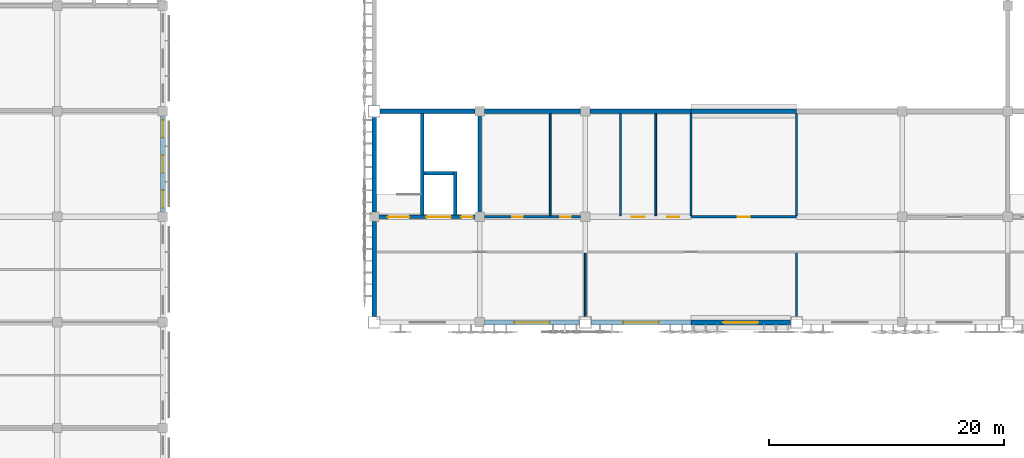
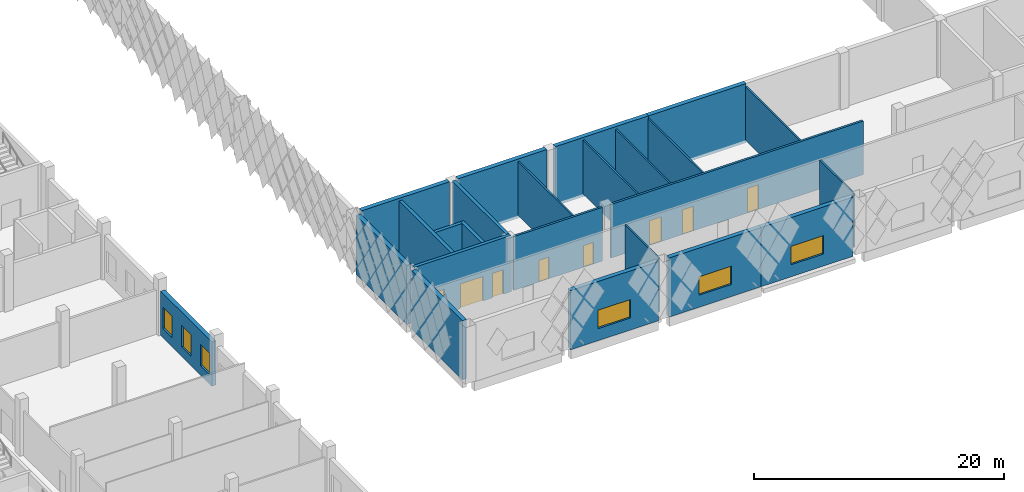
# One storey, part 108 of 185: 24 walls, 8 doors, 6 windows, 14 openings.
"""IFC4 building model written with IfcOpenShell, lengths in metres."""

from ifc_helpers import new_model, si_unit, direction, frame, frame_2d, origin, place, context, subcontext, project, spatial, rectangle, extrude, material, layer, layer_set, type_object, element, fill, save


model = new_model("IFC4")

# Units and contexts
model_context = context("Model", 3, precision=1e-05, world=origin(), true_north=direction((0.0, 1.0)))
body_context = subcontext(model_context, "Body", "Model", "MODEL_VIEW")
ifc_project = project(units=[si_unit("LENGTHUNIT", "METRE"), si_unit("AREAUNIT", "SQUARE_METRE"), si_unit("VOLUMEUNIT", "CUBIC_METRE"), si_unit("PLANEANGLEUNIT", "RADIAN"), si_unit("MASSUNIT", "GRAM", prefix="KILO")], contexts=[model_context])

# Site, building, storey
site_placement = place(None, origin())
site = spatial("IfcSite", under=ifc_project, at=site_placement, CompositionType="ELEMENT")
building_placement = place(site_placement, origin())
building = spatial("IfcBuilding", under=site, at=building_placement, Name="Opaline Strait Convention Centre", CompositionType="ELEMENT")
storey_placement = place(building_placement, frame((0.0, 0.0, 6.0)))
storey = spatial("IfcBuildingStorey", under=building, at=storey_placement, Name="L01", CompositionType="ELEMENT", Elevation=6.0)

# Wall, opening, window
ifc_material_1 = material(Name="Concrete C40", Category="concrete")
ifc_layer_1 = layer(ifc_material_1, 0.25)
ifc_material_2 = material(Name="Mineral wool insulation")
ifc_layer_2 = layer(ifc_material_2, 0.10009765625)
ifc_material_3 = material(Name="Gypsum board lining")
ifc_layer_3 = layer(ifc_material_3, 0.050048828125)
ifc_layer_set_1 = layer_set([ifc_layer_1, ifc_layer_2, ifc_layer_3], Name="Concrete C40, Mineral wool insulation, Gypsum board lining")
wall_type_1 = type_object("IfcWallType", Name="External wall RC 400 insulated", PredefinedType="SOLIDWALL", material=ifc_layer_set_1)
wall_1_placement = place(storey_placement, frame((108.39990234375, 54.0, -0.280029296875), z_axis=(0.0, 0.0, 1.0), x_axis=(1.0, 0.0, 0.0)))
wall_1 = element("IfcWall", 1, at=wall_1_placement, inside=storey, type_object=wall_type_1, Name="External wall S2", PredefinedType="SOLIDWALL", context=body_context, shape_type="SweptSolid", body=[
    extrude(rectangle(XDim=8.10009765625, YDim=0.39990234375, at=frame_2d((4.050048828125, 0.0))), origin(), (0.0, 0.0, 1.0), 5.780029296875),
])
opening_1_placement = place(wall_1_placement, frame((2.550048828125, 0.0, 1.179931640625)))
opening_1 = element("IfcOpeningElement", 2, at=opening_1_placement, cuts=wall_1, Name="Opening XWN2", PredefinedType="OPENING", context=body_context, shape_type="SweptSolid", body=[
    extrude(rectangle(XDim=3.0, YDim=1.800048828125, at=frame_2d((1.5, 0.89990234375))), frame((0.0, 0.2099609375, 0.0), z_axis=(0.0, -1.0, 0.0), x_axis=(1.0, 0.0, 0.0)), (0.0, 0.0, 1.0), 0.419921875),
])
ifc_material_4 = material(Name="Double glazed unit low emissivity", Category="glass")
window_type_1 = type_object("IfcWindowType", Name="Strip window 3000 x 1800", PartitioningType="TRIPLE_PANEL_VERTICAL", PredefinedType="WINDOW", material=ifc_material_4)
window_1_placement = place(opening_1_placement, origin())
window_1 = element("IfcWindow", 3, at=window_1_placement, inside=storey, type_object=window_type_1, Name="Strip window 2", OverallHeight=1.800048828125, OverallWidth=3.0, PartitioningType="TRIPLE_PANEL_VERTICAL", PredefinedType="WINDOW", context=body_context, shape_type="SweptSolid", body=[
    extrude(rectangle(XDim=3.0, YDim=1.800048828125, at=frame_2d((1.5, 0.89990234375))), frame((0.0, 0.030029296875, 0.0), z_axis=(0.0, -1.0, 0.0), x_axis=(1.0, 0.0, 0.0)), (0.0, 0.0, 1.0), 0.06005859375),
])
fill(opening_1, window_1)

wall_2_placement = place(storey_placement, frame((117.5, 54.0, -0.280029296875), z_axis=(0.0, 0.0, 1.0), x_axis=(1.0, 0.0, 0.0)))
wall_2 = element("IfcWall", 4, at=wall_2_placement, inside=storey, type_object=wall_type_1, Name="External wall S3", PredefinedType="SOLIDWALL", context=body_context, shape_type="SweptSolid", body=[
    extrude(rectangle(XDim=8.5, YDim=0.39990234375, at=frame_2d((4.25, 0.0))), origin(), (0.0, 0.0, 1.0), 5.780029296875),
])
opening_2_placement = place(wall_2_placement, frame((2.75, 0.0, 1.179931640625)))
opening_2 = element("IfcOpeningElement", 5, at=opening_2_placement, cuts=wall_2, Name="Opening XWN2", PredefinedType="OPENING", context=body_context, shape_type="SweptSolid", body=[
    extrude(rectangle(XDim=3.0, YDim=1.800048828125, at=frame_2d((1.5, 0.89990234375))), frame((0.0, 0.2099609375, 0.0), z_axis=(0.0, -1.0, 0.0), x_axis=(1.0, 0.0, 0.0)), (0.0, 0.0, 1.0), 0.419921875),
])
window_2_placement = place(opening_2_placement, origin())
window_2 = element("IfcWindow", 6, at=window_2_placement, inside=storey, type_object=window_type_1, Name="Strip window 3", OverallHeight=1.800048828125, OverallWidth=3.0, PartitioningType="TRIPLE_PANEL_VERTICAL", PredefinedType="WINDOW", context=body_context, shape_type="SweptSolid", body=[
    extrude(rectangle(XDim=3.0, YDim=1.800048828125, at=frame_2d((1.5, 0.89990234375))), frame((0.0, 0.030029296875, 0.0), z_axis=(0.0, -1.0, 0.0), x_axis=(1.0, 0.0, 0.0)), (0.0, 0.0, 1.0), 0.06005859375),
])
fill(opening_2, window_2)

wall_3_placement = place(storey_placement, frame((126.0, 54.0, -0.280029296875), z_axis=(0.0, 0.0, 1.0), x_axis=(1.0, 0.0, 0.0)))
wall_3 = element("IfcWall", 7, at=wall_3_placement, inside=storey, type_object=wall_type_1, Name="External wall S4", PredefinedType="SOLIDWALL", context=body_context, shape_type="SweptSolid", body=[
    extrude(rectangle(XDim=8.5, YDim=0.39990234375, at=frame_2d((4.25, 0.0))), origin(), (0.0, 0.0, 1.0), 5.780029296875),
])
opening_3_placement = place(wall_3_placement, frame((2.75, 0.0, 1.179931640625)))
opening_3 = element("IfcOpeningElement", 8, at=opening_3_placement, cuts=wall_3, Name="Opening XWN2", PredefinedType="OPENING", context=body_context, shape_type="SweptSolid", body=[
    extrude(rectangle(XDim=3.0, YDim=1.800048828125, at=frame_2d((1.5, 0.89990234375))), frame((0.0, 0.2099609375, 0.0), z_axis=(0.0, -1.0, 0.0), x_axis=(1.0, 0.0, 0.0)), (0.0, 0.0, 1.0), 0.419921875),
])
window_3_placement = place(opening_3_placement, origin())
window_3 = element("IfcWindow", 9, at=window_3_placement, inside=storey, type_object=window_type_1, Name="Strip window 4", OverallHeight=1.800048828125, OverallWidth=3.0, PartitioningType="TRIPLE_PANEL_VERTICAL", PredefinedType="WINDOW", context=body_context, shape_type="SweptSolid", body=[
    extrude(rectangle(XDim=3.0, YDim=1.800048828125, at=frame_2d((1.5, 0.89990234375))), frame((0.0, 0.030029296875, 0.0), z_axis=(0.0, -1.0, 0.0), x_axis=(1.0, 0.0, 0.0)), (0.0, 0.0, 1.0), 0.06005859375),
])
fill(opening_3, window_3)

# Walls
wall_4_placement = place(storey_placement, frame((99.0, 54.5, -0.280029296875), z_axis=(0.0, 0.0, 1.0), x_axis=(0.0, 1.0, 0.0)))
element("IfcWall", 10, at=wall_4_placement, inside=storey, type_object=wall_type_1, Name="External wall W1", PredefinedType="SOLIDWALL", context=body_context, shape_type="SweptSolid", body=[
    extrude(rectangle(XDim=8.10009765625, YDim=0.39990234375, at=frame_2d((4.050048828125, 0.0))), origin(), (0.0, 0.0, 1.0), 5.780029296875),
])
ifc_layer_4 = layer(ifc_material_1, 0.300048828125)
ifc_layer_5 = layer(ifc_material_2, 0.050048828125)
ifc_layer_6 = layer(ifc_material_3, 0.050048828125)
ifc_layer_set_2 = layer_set([ifc_layer_4, ifc_layer_5, ifc_layer_6], Name="Concrete C40, Mineral wool insulation, Gypsum board lining")
wall_type_2 = type_object("IfcWallType", Name="External wall RC 400 stair core", PredefinedType="SOLIDWALL", material=ifc_layer_set_2)
wall_5_placement = place(storey_placement, frame((99.0, 63.39990234375, -0.280029296875), z_axis=(0.0, 0.0, 1.0), x_axis=(0.0, 1.0, 0.0)))
element("IfcWall", 11, at=wall_5_placement, inside=storey, type_object=wall_type_2, Name="External wall W2", PredefinedType="SOLIDWALL", context=body_context, shape_type="SweptSolid", body=[
    extrude(rectangle(XDim=8.10009765625, YDim=0.39990234375, at=frame_2d((4.050048828125, 0.0))), origin(), (0.0, 0.0, 1.0), 5.780029296875),
])
ifc_layer_7 = layer(ifc_material_1, 0.300048828125)
ifc_material_5 = material(Name="Cement plaster")
ifc_layer_8 = layer(ifc_material_5, 0.050048828125)
ifc_layer_9 = layer(ifc_material_5, 0.050048828125)
ifc_layer_set_3 = layer_set([ifc_layer_7, ifc_layer_8, ifc_layer_9], Name="Concrete C40, Cement plaster, Cement plaster")
wall_type_3 = type_object("IfcWallType", Name="Hall compartment wall 400", PredefinedType="SOLIDWALL", material=ifc_layer_set_3)
wall_6_placement = place(storey_placement, frame((99.5, 72.0, -0.280029296875), z_axis=(0.0, 0.0, 1.0), x_axis=(1.0, 0.0, 0.0)))
element("IfcWall", 12, at=wall_6_placement, inside=storey, type_object=wall_type_3, Name="Hall south wall", PredefinedType="SOLIDWALL", context=body_context, shape_type="SweptSolid", body=[
    extrude(rectangle(XDim=8.10009765625, YDim=0.39990234375, at=frame_2d((4.050048828125, 0.0))), origin(), (0.0, 0.0, 1.0), 5.780029296875),
])
wall_7_placement = place(storey_placement, frame((108.39990234375, 72.0, -0.280029296875), z_axis=(0.0, 0.0, 1.0), x_axis=(1.0, 0.0, 0.0)))
element("IfcWall", 13, at=wall_7_placement, inside=storey, type_object=wall_type_3, Name="Hall south wall", PredefinedType="SOLIDWALL", context=body_context, shape_type="SweptSolid", body=[
    extrude(rectangle(XDim=8.2001953125, YDim=0.39990234375, at=frame_2d((4.10009765625, 0.0))), origin(), (0.0, 0.0, 1.0), 5.780029296875),
])
wall_8_placement = place(storey_placement, frame((117.39990234375, 72.0, -0.280029296875), z_axis=(0.0, 0.0, 1.0), x_axis=(1.0, 0.0, 0.0)))
element("IfcWall", 14, at=wall_8_placement, inside=storey, type_object=wall_type_3, Name="Hall south wall", PredefinedType="SOLIDWALL", context=body_context, shape_type="SweptSolid", body=[
    extrude(rectangle(XDim=8.60009765625, YDim=0.39990234375, at=frame_2d((4.300048828125, 0.0))), origin(), (0.0, 0.0, 1.0), 5.780029296875),
])
wall_9_placement = place(storey_placement, frame((126.0, 72.0, -0.280029296875), z_axis=(0.0, 0.0, 1.0), x_axis=(1.0, 0.0, 0.0)))
element("IfcWall", 15, at=wall_9_placement, inside=storey, type_object=wall_type_3, Name="Hall south wall", PredefinedType="SOLIDWALL", context=body_context, shape_type="SweptSolid", body=[
    extrude(rectangle(XDim=9.0, YDim=0.39990234375, at=frame_2d((4.5, 0.0))), origin(), (0.0, 0.0, 1.0), 5.780029296875),
])
ifc_layer_10 = layer(ifc_material_1, 0.300048828125)
ifc_layer_set_4 = layer_set([ifc_layer_10], Name="Concrete C40")
wall_type_4 = type_object("IfcWallType", Name="Lift shaft wall RC 300 C40", PredefinedType="SHEAR", material=ifc_layer_set_4)
wall_10_placement = place(storey_placement, frame((103.10009765625, 63.14990234375, 0.0), z_axis=(0.0, 0.0, 1.0), x_axis=(0.0, 1.0, 0.0)))
element("IfcWall", 16, at=wall_10_placement, inside=storey, type_object=wall_type_4, Name="EXB-LS-1-W1-L01", PredefinedType="SHEAR", context=body_context, shape_type="SweptSolid", body=[
    extrude(rectangle(XDim=8.650146484375, YDim=0.300048828125, at=frame_2d((4.3251953125, 0.0))), origin(), (0.0, 0.0, 1.0), 5.25),
])
wall_11_placement = place(storey_placement, frame((105.89990234375, 63.14990234375, 0.0), z_axis=(0.0, 0.0, 1.0), x_axis=(0.0, 1.0, 0.0)))
element("IfcWall", 17, at=wall_11_placement, inside=storey, type_object=wall_type_4, Name="EXB-LS-1-W2-L01", PredefinedType="SHEAR", context=body_context, shape_type="SweptSolid", body=[
    extrude(rectangle(XDim=3.7001953125, YDim=0.300048828125, at=frame_2d((1.85009765625, 0.0))), origin(), (0.0, 0.0, 1.0), 5.25),
])
wall_12_placement = place(storey_placement, frame((103.25, 66.699951171875, 0.0), z_axis=(0.0, 0.0, 1.0), x_axis=(1.0, 0.0, 0.0)))
element("IfcWall", 18, at=wall_12_placement, inside=storey, type_object=wall_type_4, Name="EXB-LS-1-N-L01", PredefinedType="SHEAR", context=body_context, shape_type="SweptSolid", body=[
    extrude(rectangle(XDim=2.5, YDim=0.300048828125, at=frame_2d((1.25, 0.0))), origin(), (0.0, 0.0, 1.0), 5.25),
])
ifc_material_6 = material(Name="Lightweight blockwork", Category="masonry")
ifc_layer_11 = layer(ifc_material_6, 0.14990234375)
ifc_layer_set_5 = layer_set([ifc_layer_11], Name="Lightweight blockwork")
wall_type_5 = type_object("IfcWallType", Name="Partition EI 45 blockwork 150", PredefinedType="PARTITIONING", material=ifc_layer_set_5)
for number, where, z_axis, x_axis, name in (
    (19, (117.0, 54.5, 0.0), (0.0, 0.0, 1.0), (0.0, 1.0, 0.0), "Mezzanine room partition"),
    (20, (135.0, 54.5, 0.0), (0.0, 0.0, 1.0), (0.0, 1.0, 0.0), "Mezzanine room partition"),
):
    element("IfcWall", number, at=place(storey_placement, frame(where, z_axis=z_axis, x_axis=x_axis)), inside=storey, type_object=wall_type_5, Name=name, PredefinedType="PARTITIONING", context=body_context, shape_type="SweptSolid", body=[
        extrude(rectangle(XDim=5.39990234375, YDim=0.14990234375, at=frame_2d((2.699951171875, 0.0))), origin(), (0.0, 0.0, 1.0), 5.25),
    ])
for number, where, z_axis, x_axis, name in (
    (21, (114.0, 63.10009765625, 0.0), (0.0, 0.0, 1.0), (0.0, 1.0, 0.0), "Mezzanine back row partition"),
    (22, (120.0, 63.10009765625, 0.0), (0.0, 0.0, 1.0), (0.0, 1.0, 0.0), "Mezzanine back row partition"),
    (23, (123.0, 63.10009765625, 0.0), (0.0, 0.0, 1.0), (0.0, 1.0, 0.0), "Mezzanine back row partition"),
    (24, (126.0, 63.10009765625, 0.0), (0.0, 0.0, 1.0), (0.0, 1.0, 0.0), "Mezzanine back row partition"),
    (25, (135.0, 63.10009765625, 0.0), (0.0, 0.0, 1.0), (0.0, 1.0, 0.0), "Mezzanine back row partition"),
):
    element("IfcWall", number, at=place(storey_placement, frame(where, z_axis=z_axis, x_axis=x_axis)), inside=storey, type_object=wall_type_5, Name=name, PredefinedType="PARTITIONING", context=body_context, shape_type="SweptSolid", body=[
        extrude(rectangle(XDim=8.699951171875, YDim=0.14990234375, at=frame_2d((4.35009765625, 0.0))), origin(), (0.0, 0.0, 1.0), 5.25),
    ])

# Wall, openings, doors
ifc_layer_12 = layer(ifc_material_6, 0.199951171875)
ifc_layer_set_6 = layer_set([ifc_layer_12], Name="Lightweight blockwork")
wall_type_6 = type_object("IfcWallType", Name="Partition EI 60 blockwork 200", PredefinedType="PARTITIONING", material=ifc_layer_set_6)
wall_13_placement = place(storey_placement, frame((108.39990234375, 63.0, 0.0), z_axis=(0.0, 0.0, 1.0), x_axis=(1.0, 0.0, 0.0)))
wall_13 = element("IfcWall", 26, at=wall_13_placement, inside=storey, type_object=wall_type_6, Name="Mezzanine corridor north wall", PredefinedType="PARTITIONING", context=body_context, shape_type="SweptSolid", body=[
    extrude(rectangle(XDim=8.2001953125, YDim=0.199951171875, at=frame_2d((4.10009765625, 0.0))), origin(), (0.0, 0.0, 1.0), 5.25),
])
opening_4_placement = place(wall_13_placement, frame((2.35009765625, 0.0, 0.014892578125)))
opening_4 = element("IfcOpeningElement", 27, at=opening_4_placement, cuts=wall_13, Name="Opening X1-017", PredefinedType="OPENING", context=body_context, shape_type="SweptSolid", body=[
    extrude(rectangle(XDim=0.89990234375, YDim=2.10009765625, at=frame_2d((0.449951171875, 1.050048828125))), frame((0.0, 0.10986328125, 0.0), z_axis=(0.0, -1.0, 0.0), x_axis=(1.0, 0.0, 0.0)), (0.0, 0.0, 1.0), 0.219970703125),
])
opening_5_placement = place(wall_13_placement, frame((6.449951171875, 0.0, 0.014892578125)))
opening_5 = element("IfcOpeningElement", 28, at=opening_5_placement, cuts=wall_13, Name="Opening X1-018", PredefinedType="OPENING", context=body_context, shape_type="SweptSolid", body=[
    extrude(rectangle(XDim=0.89990234375, YDim=2.10009765625, at=frame_2d((0.449951171875, 1.050048828125))), frame((0.0, 0.10986328125, 0.0), z_axis=(0.0, -1.0, 0.0), x_axis=(1.0, 0.0, 0.0)), (0.0, 0.0, 1.0), 0.219970703125),
])
ifc_material_7 = material(Name="Steel Q235B", Category="steel")
door_type_1 = type_object("IfcDoorType", Name="Public WC door 900 x 2100", OperationType="SINGLE_SWING_LEFT", PredefinedType="DOOR", material=ifc_material_7)
door_1_placement = place(opening_4_placement, origin())
door_1 = element("IfcDoor", 29, at=door_1_placement, inside=storey, type_object=door_type_1, Name="Public WC Women 1.09 door", ObjectType="XD11", OperationType="SINGLE_SWING_LEFT", OverallHeight=2.10009765625, OverallWidth=0.89990234375, PredefinedType="DOOR", context=body_context, shape_type="SweptSolid", body=[
    extrude(rectangle(XDim=0.89990234375, YDim=2.10009765625, at=frame_2d((0.449951171875, 1.050048828125))), frame((0.0, 0.02490234375, 0.0), z_axis=(0.0, -1.0, 0.0), x_axis=(1.0, 0.0, 0.0)), (0.0, 0.0, 1.0), 0.050048828125),
])
fill(opening_4, door_1)
door_2_placement = place(opening_5_placement, origin())
door_2 = element("IfcDoor", 30, at=door_2_placement, inside=storey, type_object=door_type_1, Name="Public WC Men 1.10 door", ObjectType="XD11", OperationType="SINGLE_SWING_RIGHT", OverallHeight=2.10009765625, OverallWidth=0.89990234375, PredefinedType="DOOR", context=body_context, shape_type="SweptSolid", body=[
    extrude(rectangle(XDim=0.89990234375, YDim=2.10009765625, at=frame_2d((0.449951171875, 1.050048828125))), frame((0.0, 0.02490234375, 0.0), z_axis=(0.0, -1.0, 0.0), x_axis=(1.0, 0.0, 0.0)), (0.0, 0.0, 1.0), 0.050048828125),
])
fill(opening_5, door_2)

wall_14_placement = place(storey_placement, frame((117.39990234375, 63.0, 0.0), z_axis=(0.0, 0.0, 1.0), x_axis=(1.0, 0.0, 0.0)))
wall_14 = element("IfcWall", 31, at=wall_14_placement, inside=storey, type_object=wall_type_6, Name="Mezzanine corridor north wall", PredefinedType="PARTITIONING", context=body_context, shape_type="SweptSolid", body=[
    extrude(rectangle(XDim=23.300048828125, YDim=0.199951171875, at=frame_2d((11.64990234375, 0.0))), origin(), (0.0, 0.0, 1.0), 5.25),
])
opening_6_placement = place(wall_14_placement, frame((3.550048828125, 0.0, 0.014892578125)))
opening_6 = element("IfcOpeningElement", 32, at=opening_6_placement, cuts=wall_14, Name="Opening X1-019", PredefinedType="OPENING", context=body_context, shape_type="SweptSolid", body=[
    extrude(rectangle(XDim=1.10009765625, YDim=2.39990234375, at=frame_2d((0.550048828125, 1.199951171875))), frame((0.0, 0.10986328125, 0.0), z_axis=(0.0, -1.0, 0.0), x_axis=(1.0, 0.0, 0.0)), (0.0, 0.0, 1.0), 0.219970703125),
])
opening_7_placement = place(wall_14_placement, frame((6.60009765625, 0.0, 0.014892578125)))
opening_7 = element("IfcOpeningElement", 33, at=opening_7_placement, cuts=wall_14, Name="Opening X1-020", PredefinedType="OPENING", context=body_context, shape_type="SweptSolid", body=[
    extrude(rectangle(XDim=1.0, YDim=2.39990234375, at=frame_2d((0.5, 1.199951171875))), frame((0.0, 0.10986328125, 0.0), z_axis=(0.0, -1.0, 0.0), x_axis=(1.0, 0.0, 0.0)), (0.0, 0.0, 1.0), 0.219970703125),
])
opening_8_placement = place(wall_14_placement, frame((12.60009765625, 0.0, 0.014892578125)))
opening_8 = element("IfcOpeningElement", 34, at=opening_8_placement, cuts=wall_14, Name="Opening X1-021", PredefinedType="OPENING", context=body_context, shape_type="SweptSolid", body=[
    extrude(rectangle(XDim=1.0, YDim=2.39990234375, at=frame_2d((0.5, 1.199951171875))), frame((0.0, 0.10986328125, 0.0), z_axis=(0.0, -1.0, 0.0), x_axis=(1.0, 0.0, 0.0)), (0.0, 0.0, 1.0), 0.219970703125),
])
door_type_2 = type_object("IfcDoorType", Name="Accessible WC door 1100 x 2400", OperationType="SINGLE_SWING_LEFT", PredefinedType="DOOR", material=ifc_material_7)
door_3_placement = place(opening_6_placement, origin())
door_3 = element("IfcDoor", 35, at=door_3_placement, inside=storey, type_object=door_type_2, Name="Accessible WC 1.11 door", ObjectType="XD12", OperationType="SINGLE_SWING_LEFT", OverallHeight=2.39990234375, OverallWidth=1.10009765625, PredefinedType="DOOR", context=body_context, shape_type="SweptSolid", body=[
    extrude(rectangle(XDim=1.10009765625, YDim=2.39990234375, at=frame_2d((0.550048828125, 1.199951171875))), frame((0.0, 0.02490234375, 0.0), z_axis=(0.0, -1.0, 0.0), x_axis=(1.0, 0.0, 0.0)), (0.0, 0.0, 1.0), 0.050048828125),
])
fill(opening_6, door_3)
door_type_3 = type_object("IfcDoorType", Name="Single door FD30 1000 x 2400", OperationType="SINGLE_SWING_LEFT", PredefinedType="DOOR", material=ifc_material_7)
door_4_placement = place(opening_7_placement, origin())
door_4 = element("IfcDoor", 36, at=door_4_placement, inside=storey, type_object=door_type_3, Name="Cleaners Store 1.12 door", ObjectType="XD8", OperationType="SINGLE_SWING_LEFT", OverallHeight=2.39990234375, OverallWidth=1.0, PredefinedType="DOOR", context=body_context, shape_type="SweptSolid", body=[
    extrude(rectangle(XDim=1.0, YDim=2.39990234375, at=frame_2d((0.5, 1.199951171875))), frame((0.0, 0.02490234375, 0.0), z_axis=(0.0, -1.0, 0.0), x_axis=(1.0, 0.0, 0.0)), (0.0, 0.0, 1.0), 0.050048828125),
])
fill(opening_7, door_4)
door_5_placement = place(opening_8_placement, origin())
door_5 = element("IfcDoor", 37, at=door_5_placement, inside=storey, type_object=door_type_3, Name="Press Store 1.13 door", ObjectType="XD8", OperationType="SINGLE_SWING_RIGHT", OverallHeight=2.39990234375, OverallWidth=1.0, PredefinedType="DOOR", context=body_context, shape_type="SweptSolid", body=[
    extrude(rectangle(XDim=1.0, YDim=2.39990234375, at=frame_2d((0.5, 1.199951171875))), frame((0.0, 0.02490234375, 0.0), z_axis=(0.0, -1.0, 0.0), x_axis=(1.0, 0.0, 0.0)), (0.0, 0.0, 1.0), 0.050048828125),
])
fill(opening_8, door_5)

ifc_layer_13 = layer(ifc_material_1, 0.300048828125)
ifc_layer_set_7 = layer_set([ifc_layer_13], Name="Concrete C40")
wall_type_7 = type_object("IfcWallType", Name="RC core wall 300 C40", PredefinedType="SHEAR", material=ifc_layer_set_7)
wall_15_placement = place(storey_placement, frame((99.199951171875, 63.0, 0.0), z_axis=(0.0, 0.0, 1.0), x_axis=(1.0, 0.0, 0.0)))
wall_15 = element("IfcWall", 38, at=wall_15_placement, inside=storey, type_object=wall_type_7, Name="Core 1 wall S", PredefinedType="SHEAR", context=body_context, shape_type="SweptSolid", body=[
    extrude(rectangle(XDim=8.949951171875, YDim=0.300048828125, at=frame_2d((4.47509765625, 0.0))), origin(), (0.0, 0.0, 1.0), 5.5),
])
opening_9_placement = place(wall_15_placement, frame((0.97509765625, 0.0, 0.0)))
opening_9 = element("IfcOpeningElement", 39, at=opening_9_placement, cuts=wall_15, Name="Opening X1-001", PredefinedType="OPENING", context=body_context, shape_type="SweptSolid", body=[
    extrude(rectangle(XDim=1.800048828125, YDim=2.39990234375, at=frame_2d((0.89990234375, 1.199951171875))), frame((0.0, 0.159912109375, 0.0), z_axis=(0.0, -1.0, 0.0), x_axis=(1.0, 0.0, 0.0)), (0.0, 0.0, 1.0), 0.320068359375),
])
opening_10_placement = place(wall_15_placement, frame((4.25, 0.0, 0.0)))
opening_10 = element("IfcOpeningElement", 40, at=opening_10_placement, cuts=wall_15, Name="Opening XLD1-1", PredefinedType="OPENING", context=body_context, shape_type="SweptSolid", body=[
    extrude(rectangle(XDim=2.10009765625, YDim=2.39990234375, at=frame_2d((1.050048828125, 1.199951171875))), frame((0.0, 0.159912109375, 0.0), z_axis=(0.0, -1.0, 0.0), x_axis=(1.0, 0.0, 0.0)), (0.0, 0.0, 1.0), 0.320068359375),
])
opening_11_placement = place(wall_15_placement, frame((7.22509765625, 0.0, 0.0)))
opening_11 = element("IfcOpeningElement", 41, at=opening_11_placement, cuts=wall_15, Name="Opening X1-002", PredefinedType="OPENING", context=body_context, shape_type="SweptSolid", body=[
    extrude(rectangle(XDim=1.0, YDim=2.39990234375, at=frame_2d((0.5, 1.199951171875))), frame((0.0, 0.159912109375, 0.0), z_axis=(0.0, -1.0, 0.0), x_axis=(1.0, 0.0, 0.0)), (0.0, 0.0, 1.0), 0.320068359375),
])
ifc_material_8 = material(Name="Stainless steel 304", Category="steel")
door_type_4 = type_object("IfcDoorType", Name="Lift landing door 2100 x 2400", OperationType="DOUBLE_DOOR_SLIDING", PredefinedType="DOOR", material=ifc_material_8)
door_6_placement = place(opening_10_placement, origin())
door_6 = element("IfcDoor", 42, at=door_6_placement, inside=storey, type_object=door_type_4, Name="Goods lift 1 landing door L01", ObjectType="XLD", OperationType="DOUBLE_DOOR_SLIDING", OverallHeight=2.39990234375, OverallWidth=2.10009765625, PredefinedType="DOOR", context=body_context, shape_type="SweptSolid", body=[
    extrude(rectangle(XDim=2.10009765625, YDim=2.39990234375, at=frame_2d((1.050048828125, 1.199951171875))), frame((0.0, 0.02490234375, 0.0), z_axis=(0.0, -1.0, 0.0), x_axis=(1.0, 0.0, 0.0)), (0.0, 0.0, 1.0), 0.050048828125),
])
fill(opening_10, door_6)
door_7_placement = place(opening_11_placement, origin())
door_7 = element("IfcDoor", 43, at=door_7_placement, inside=storey, type_object=door_type_3, Name="Services riser 1 door L01", ObjectType="XD8", OperationType="SINGLE_SWING_RIGHT", OverallHeight=2.39990234375, OverallWidth=1.0, PredefinedType="DOOR", context=body_context, shape_type="SweptSolid", body=[
    extrude(rectangle(XDim=1.0, YDim=2.39990234375, at=frame_2d((0.5, 1.199951171875))), frame((0.0, 0.02490234375, 0.0), z_axis=(0.0, -1.0, 0.0), x_axis=(1.0, 0.0, 0.0)), (0.0, 0.0, 1.0), 0.050048828125),
])
fill(opening_11, door_7)
door_type_5 = type_object("IfcDoorType", Name="Stair door pair FD60 1800 x 2400", OperationType="DOUBLE_DOOR_SINGLE_SWING", PredefinedType="DOOR", material=ifc_material_7)
door_8_placement = place(opening_9_placement, frame((1.800048828125, 0.0, 0.0), z_axis=(0.0, 0.0, 1.0), x_axis=(-1.0, 0.0, 0.0)))
door_8 = element("IfcDoor", 44, at=door_8_placement, inside=storey, type_object=door_type_5, Name="Stair 1 door L01", ObjectType="XD7", OperationType="DOUBLE_DOOR_SINGLE_SWING", OverallHeight=2.39990234375, OverallWidth=1.800048828125, PredefinedType="DOOR", context=body_context, shape_type="SweptSolid", body=[
    extrude(rectangle(XDim=1.800048828125, YDim=2.39990234375, at=frame_2d((0.89990234375, 1.199951171875))), frame((0.0, 0.02490234375, 0.0), z_axis=(0.0, -1.0, 0.0), x_axis=(1.0, 0.0, 0.0)), (0.0, 0.0, 1.0), 0.050048828125),
])
fill(opening_9, door_8)

# Wall
wall_16_placement = place(storey_placement, frame((108.0, 63.14990234375, 0.0), z_axis=(0.0, 0.0, 1.0), x_axis=(0.0, 1.0, 0.0)))
element("IfcWall", 45, at=wall_16_placement, inside=storey, type_object=wall_type_7, Name="Core 1 wall E", PredefinedType="SHEAR", context=body_context, shape_type="SweptSolid", body=[
    extrude(rectangle(XDim=8.650146484375, YDim=0.300048828125, at=frame_2d((4.3251953125, 0.0))), origin(), (0.0, 0.0, 1.0), 5.5),
])

# Wall, openings, windows
ifc_layer_14 = layer(ifc_material_1, 0.320068359375)
ifc_layer_15 = layer(ifc_material_2, 0.050048828125)
ifc_layer_16 = layer(ifc_material_3, 0.030029296875)
ifc_layer_set_8 = layer_set([ifc_layer_14, ifc_layer_15, ifc_layer_16], Name="Concrete C40, Mineral wool insulation, Gypsum board lining")
wall_type_8 = type_object("IfcWallType", Name="RC wall 400 C40", PredefinedType="SOLIDWALL", material=ifc_layer_set_8)
wall_17_placement = place(storey_placement, frame((81.0, 63.39990234375, 0.0), z_axis=(0.0, 0.0, 1.0), x_axis=(0.0, 1.0, 0.0)))
wall_17 = element("IfcWall", 46, at=wall_17_placement, inside=storey, type_object=wall_type_8, Name="L01 E external wall 7", PredefinedType="SOLIDWALL", context=body_context, shape_type="SweptSolid", body=[
    extrude(rectangle(XDim=8.2001953125, YDim=0.39990234375, at=frame_2d((4.10009765625, 0.0))), origin(), (0.0, 0.0, 1.0), 4.320068359375),
])
opening_12_placement = place(wall_17_placement, frame((0.35009765625, 0.0, 0.89990234375)))
opening_12 = element("IfcOpeningElement", 47, at=opening_12_placement, cuts=wall_17, Name="Opening RWN1", PredefinedType="OPENING", context=body_context, shape_type="SweptSolid", body=[
    extrude(rectangle(XDim=1.5, YDim=2.10009765625, at=frame_2d((0.75, 1.050048828125))), frame((0.0, 0.2099609375, 0.0), z_axis=(0.0, -1.0, 0.0), x_axis=(1.0, 0.0, 0.0)), (0.0, 0.0, 1.0), 0.419921875),
])
opening_13_placement = place(wall_17_placement, frame((3.35009765625, 0.0, 0.89990234375)))
opening_13 = element("IfcOpeningElement", 48, at=opening_13_placement, cuts=wall_17, Name="Opening RWN1", PredefinedType="OPENING", context=body_context, shape_type="SweptSolid", body=[
    extrude(rectangle(XDim=1.5, YDim=2.10009765625, at=frame_2d((0.75, 1.050048828125))), frame((0.0, 0.2099609375, 0.0), z_axis=(0.0, -1.0, 0.0), x_axis=(1.0, 0.0, 0.0)), (0.0, 0.0, 1.0), 0.419921875),
])
opening_14_placement = place(wall_17_placement, frame((6.35009765625, 0.0, 0.89990234375)))
opening_14 = element("IfcOpeningElement", 49, at=opening_14_placement, cuts=wall_17, Name="Opening RWN1", PredefinedType="OPENING", context=body_context, shape_type="SweptSolid", body=[
    extrude(rectangle(XDim=1.5, YDim=2.10009765625, at=frame_2d((0.75, 1.050048828125))), frame((0.0, 0.2099609375, 0.0), z_axis=(0.0, -1.0, 0.0), x_axis=(1.0, 0.0, 0.0)), (0.0, 0.0, 1.0), 0.419921875),
])
ifc_material_9 = material(Name="Aluminium framed double glazing", Category="aluminium")
window_type_2 = type_object("IfcWindowType", Name="Window 1500x2100 sill 900", PartitioningType="SINGLE_PANEL", PredefinedType="WINDOW", material=ifc_material_9)
window_4_placement = place(opening_12_placement, origin())
window_4 = element("IfcWindow", 50, at=window_4_placement, inside=storey, type_object=window_type_2, Name="Window L01-E7-W1", OverallHeight=2.10009765625, OverallWidth=1.5, PartitioningType="SINGLE_PANEL", PredefinedType="WINDOW", context=body_context, shape_type="SweptSolid", body=[
    extrude(rectangle(XDim=1.5, YDim=2.10009765625, at=frame_2d((0.75, 1.050048828125))), frame((0.0, 0.030029296875, 0.0), z_axis=(0.0, -1.0, 0.0), x_axis=(1.0, 0.0, 0.0)), (0.0, 0.0, 1.0), 0.06005859375),
])
fill(opening_12, window_4)
window_5_placement = place(opening_13_placement, origin())
window_5 = element("IfcWindow", 51, at=window_5_placement, inside=storey, type_object=window_type_2, Name="Window L01-E7-W2", OverallHeight=2.10009765625, OverallWidth=1.5, PartitioningType="SINGLE_PANEL", PredefinedType="WINDOW", context=body_context, shape_type="SweptSolid", body=[
    extrude(rectangle(XDim=1.5, YDim=2.10009765625, at=frame_2d((0.75, 1.050048828125))), frame((0.0, 0.030029296875, 0.0), z_axis=(0.0, -1.0, 0.0), x_axis=(1.0, 0.0, 0.0)), (0.0, 0.0, 1.0), 0.06005859375),
])
fill(opening_13, window_5)
window_6_placement = place(opening_14_placement, origin())
window_6 = element("IfcWindow", 52, at=window_6_placement, inside=storey, type_object=window_type_2, Name="Window L01-E7-W3", OverallHeight=2.10009765625, OverallWidth=1.5, PartitioningType="SINGLE_PANEL", PredefinedType="WINDOW", context=body_context, shape_type="SweptSolid", body=[
    extrude(rectangle(XDim=1.5, YDim=2.10009765625, at=frame_2d((0.75, 1.050048828125))), frame((0.0, 0.030029296875, 0.0), z_axis=(0.0, -1.0, 0.0), x_axis=(1.0, 0.0, 0.0)), (0.0, 0.0, 1.0), 0.06005859375),
])
fill(opening_14, window_6)

save(model, "model.ifc")
